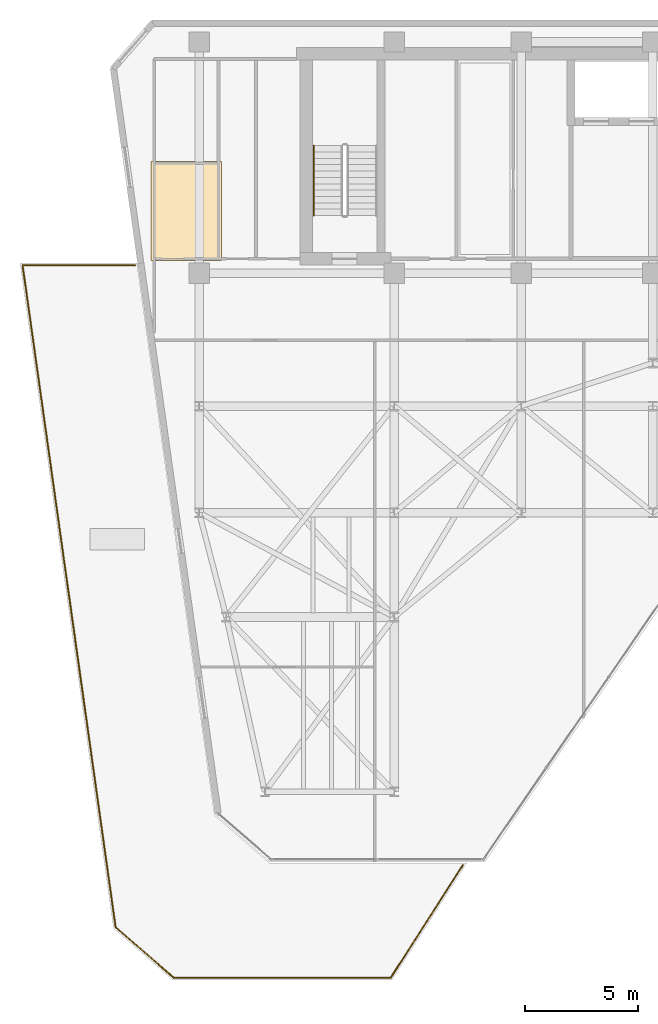
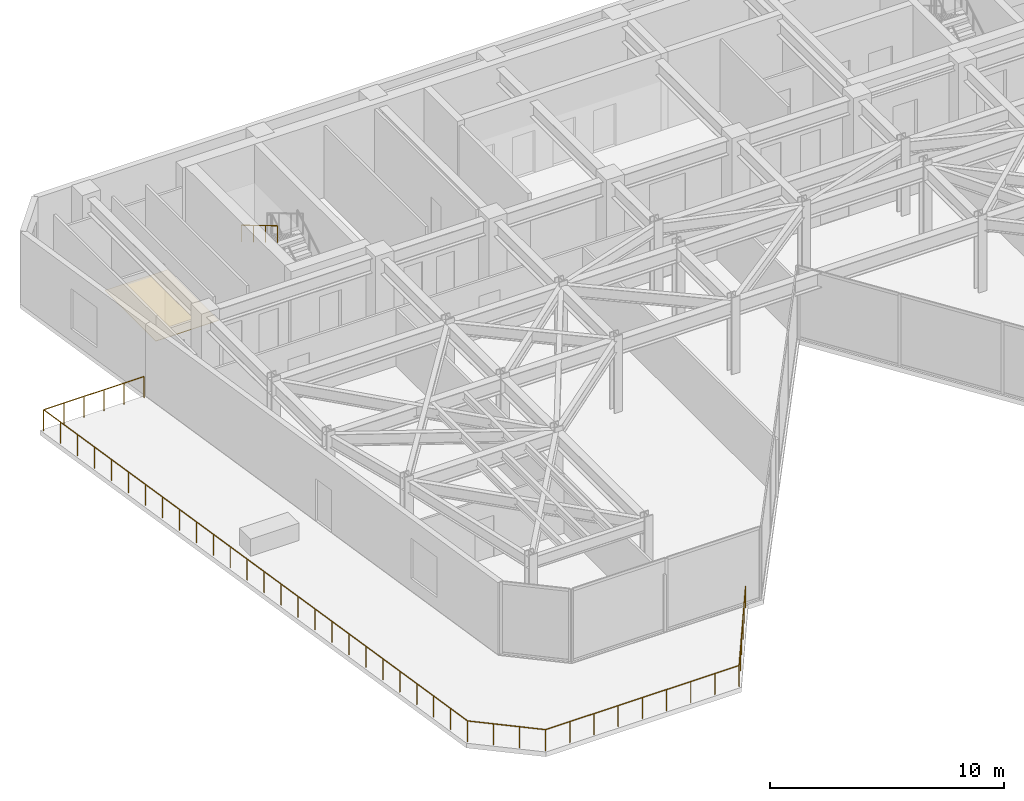
# One storey, part 19 of 21: 6 railings, 1 covering.
"""IFC4 building model written with IfcOpenShell, lengths in metres."""

from ifc_helpers import new_model, si_unit, direction, frame, origin, origin_2d, place, context, subcontext, project, spatial, polyline, circle, outline, extrude, material, layer, layer_set, type_object, element, save


model = new_model("IFC4")

# Units and contexts
model_context = context("Model", 3, precision=1e-05, world=origin(), true_north=direction((0.0, 1.0)))
body_context = subcontext(model_context, "Body", "Model", "MODEL_VIEW")
ifc_project = project(units=[si_unit("LENGTHUNIT", "METRE"), si_unit("AREAUNIT", "SQUARE_METRE"), si_unit("VOLUMEUNIT", "CUBIC_METRE"), si_unit("PLANEANGLEUNIT", "RADIAN"), si_unit("MASSUNIT", "GRAM", prefix="KILO")], contexts=[model_context])

# Site, building, storey
site_placement = place(None, origin())
site = spatial("IfcSite", under=ifc_project, at=site_placement, CompositionType="ELEMENT")
building_placement = place(site_placement, origin())
building = spatial("IfcBuilding", under=site, at=building_placement, Name="Kravanh Interchange Tower", CompositionType="ELEMENT")
storey_placement = place(building_placement, frame((0.0, 0.0, 160.5)))
storey = spatial("IfcBuildingStorey", under=building, at=storey_placement, Name="L38", CompositionType="ELEMENT", Elevation=160.5)

# Covering
ifc_material_1 = material(Name="Acoustic Mineral Fibre Tile on Aluminium Grid", Category="aluminium")
ifc_layer_1 = layer(ifc_material_1, 0.02490234375)
ifc_layer_set_1 = layer_set([ifc_layer_1], Name="Perforated Acoustic Mineral Ceiling 25mm")
covering_type = type_object("IfcCoveringType", Name="Perforated Acoustic Mineral Ceiling 25mm", PredefinedType="CEILING", material=ifc_layer_set_1)
covering_placement = place(storey_placement, frame((0.0, 0.0, 2.550048828125)))
element("IfcCovering", 1, at=covering_placement, inside=storey, type_object=covering_type, Name="L38 Accessible WC Suspended Ceiling", PredefinedType="CEILING", context=body_context, shape_type="SweptSolid", body=[
    extrude(outline(polyline([(19.590087890625, 42.280029296875), (19.590087890625, 37.909912109375), (16.47998046875, 37.909912109375), (16.47998046875, 42.280029296875), (19.590087890625, 42.280029296875)])), origin(), (0.0, 0.0, 1.0), 0.02490234375),
])

# Railings
ifc_material_2 = material(Name="Stainless Steel 316", Category="steel")
ifc_layer_2 = layer(ifc_material_2, 0.06005859375)
ifc_layer_set_2 = layer_set([ifc_layer_2], Name="Perimeter Balcony and Terrace Guardrail Stainless 316 1120mm")
railing_type_1 = type_object("IfcRailingType", Name="Perimeter Balcony and Terrace Guardrail Stainless 316 1120mm", PredefinedType="GUARDRAIL", material=ifc_layer_set_2)
railing_1_placement = place(storey_placement, frame((17.482421875, 6.300048828125, 0.0)))
element("IfcRailing", 2, at=railing_1_placement, inside=storey, type_object=railing_type_1, Name="L38 Stepped Terrace Guardrail 1", PredefinedType="GUARDRAIL", context=body_context, shape_type="SweptSolid", body=[
    extrude(circle(Radius=0.02392578125, at=origin_2d()), frame((0.0, 0.0, 1.09619140625), z_axis=(-0.754723103964, 0.656043471382, 0.0), x_axis=(-0.656043471382, -0.754723103964, 0.0)), (0.0, 0.0, 1.0), 3.39697265625),
    extrude(circle(Radius=0.02099609375, at=origin_2d()), origin(), (0.0, 0.0, 1.0), 1.072021484375),
    extrude(circle(Radius=0.02099609375, at=origin_2d()), frame((-0.8544921875, 0.742919921875, 0.0)), (0.0, 0.0, 1.0), 1.072021484375),
    extrude(circle(Radius=0.02099609375, at=origin_2d()), frame((-1.709228515625, 1.485595703125, 0.0)), (0.0, 0.0, 1.0), 1.072021484375),
    extrude(circle(Radius=0.02099609375, at=origin_2d()), frame((-2.563720703125, 2.228515625, 0.0)), (0.0, 0.0, 1.0), 1.072021484375),
])
railing_2_placement = place(storey_placement, frame((14.918701171875, 8.528564453125, 0.0)))
element("IfcRailing", 3, at=railing_2_placement, inside=storey, type_object=railing_type_1, Name="L38 Stepped Terrace Guardrail 2", PredefinedType="GUARDRAIL", context=body_context, shape_type="SweptSolid", body=[
    extrude(circle(Radius=0.02392578125, at=origin_2d()), frame((0.0, 0.0, 1.09619140625), z_axis=(-0.13917584653, 0.990267682873, 0.0), x_axis=(-0.990267682873, -0.13917584653, 0.0)), (0.0, 0.0, 1.0), 29.4580078125),
    extrude(circle(Radius=0.02099609375, at=origin_2d()), origin(), (0.0, 0.0, 1.0), 1.072021484375),
    extrude(circle(Radius=0.02099609375, at=origin_2d()), frame((-0.1640625, 1.166748046875, 0.0)), (0.0, 0.0, 1.0), 1.072021484375),
    extrude(circle(Radius=0.02099609375, at=origin_2d()), frame((-0.327880859375, 2.333740234375, 0.0)), (0.0, 0.0, 1.0), 1.072021484375),
    extrude(circle(Radius=0.02099609375, at=origin_2d()), frame((-0.491943359375, 3.50048828125, 0.0)), (0.0, 0.0, 1.0), 1.072021484375),
    extrude(circle(Radius=0.02099609375, at=origin_2d()), frame((-0.656005859375, 4.66748046875, 0.0)), (0.0, 0.0, 1.0), 1.072021484375),
    extrude(circle(Radius=0.02099609375, at=origin_2d()), frame((-0.820068359375, 5.834228515625, 0.0)), (0.0, 0.0, 1.0), 1.072021484375),
    extrude(circle(Radius=0.02099609375, at=origin_2d()), frame((-0.98388671875, 7.001220703125, 0.0)), (0.0, 0.0, 1.0), 1.072021484375),
    extrude(circle(Radius=0.02099609375, at=origin_2d()), frame((-1.14794921875, 8.16796875, 0.0)), (0.0, 0.0, 1.0), 1.072021484375),
    extrude(circle(Radius=0.02099609375, at=origin_2d()), frame((-1.31201171875, 9.3349609375, 0.0)), (0.0, 0.0, 1.0), 1.072021484375),
    extrude(circle(Radius=0.02099609375, at=origin_2d()), frame((-1.475830078125, 10.501708984375, 0.0)), (0.0, 0.0, 1.0), 1.072021484375),
    extrude(circle(Radius=0.02099609375, at=origin_2d()), frame((-1.639892578125, 11.66845703125, 0.0)), (0.0, 0.0, 1.0), 1.072021484375),
    extrude(circle(Radius=0.02099609375, at=origin_2d()), frame((-1.803955078125, 12.83544921875, 0.0)), (0.0, 0.0, 1.0), 1.072021484375),
    extrude(circle(Radius=0.02099609375, at=origin_2d()), frame((-1.968017578125, 14.002197265625, 0.0)), (0.0, 0.0, 1.0), 1.072021484375),
    extrude(circle(Radius=0.02099609375, at=origin_2d()), frame((-2.1318359375, 15.169189453125, 0.0)), (0.0, 0.0, 1.0), 1.072021484375),
    extrude(circle(Radius=0.02099609375, at=origin_2d()), frame((-2.2958984375, 16.3359375, 0.0)), (0.0, 0.0, 1.0), 1.072021484375),
    extrude(circle(Radius=0.02099609375, at=origin_2d()), frame((-2.4599609375, 17.5029296875, 0.0)), (0.0, 0.0, 1.0), 1.072021484375),
    extrude(circle(Radius=0.02099609375, at=origin_2d()), frame((-2.6240234375, 18.669677734375, 0.0)), (0.0, 0.0, 1.0), 1.072021484375),
    extrude(circle(Radius=0.02099609375, at=origin_2d()), frame((-2.787841796875, 19.83642578125, 0.0)), (0.0, 0.0, 1.0), 1.072021484375),
    extrude(circle(Radius=0.02099609375, at=origin_2d()), frame((-2.951904296875, 21.00341796875, 0.0)), (0.0, 0.0, 1.0), 1.072021484375),
    extrude(circle(Radius=0.02099609375, at=origin_2d()), frame((-3.115966796875, 22.170166015625, 0.0)), (0.0, 0.0, 1.0), 1.072021484375),
    extrude(circle(Radius=0.02099609375, at=origin_2d()), frame((-3.27978515625, 23.337158203125, 0.0)), (0.0, 0.0, 1.0), 1.072021484375),
    extrude(circle(Radius=0.02099609375, at=origin_2d()), frame((-3.44384765625, 24.50390625, 0.0)), (0.0, 0.0, 1.0), 1.072021484375),
    extrude(circle(Radius=0.02099609375, at=origin_2d()), frame((-3.60791015625, 25.6708984375, 0.0)), (0.0, 0.0, 1.0), 1.072021484375),
    extrude(circle(Radius=0.02099609375, at=origin_2d()), frame((-3.77197265625, 26.837646484375, 0.0)), (0.0, 0.0, 1.0), 1.072021484375),
    extrude(circle(Radius=0.02099609375, at=origin_2d()), frame((-3.935791015625, 28.004638671875, 0.0)), (0.0, 0.0, 1.0), 1.072021484375),
    extrude(circle(Radius=0.02099609375, at=origin_2d()), frame((-4.099853515625, 29.17138671875, 0.0)), (0.0, 0.0, 1.0), 1.072021484375),
])
railing_3_placement = place(storey_placement, frame((10.81884765625, 37.699951171875, 0.0)))
element("IfcRailing", 4, at=railing_3_placement, inside=storey, type_object=railing_type_1, Name="L38 Stepped Terrace Guardrail 3", PredefinedType="GUARDRAIL", context=body_context, shape_type="SweptSolid", body=[
    extrude(circle(Radius=0.02392578125, at=origin_2d()), frame((0.0, 0.0, 1.09619140625), z_axis=(1.0, 0.0, 0.0), x_axis=(0.0, 1.0, 0.0)), (0.0, 0.0, 1.0), 4.957763671875),
    extrude(circle(Radius=0.02099609375, at=origin_2d()), origin(), (0.0, 0.0, 1.0), 1.072021484375),
    extrude(circle(Radius=0.02099609375, at=origin_2d()), frame((0.991455078125, 0.0, 0.0)), (0.0, 0.0, 1.0), 1.072021484375),
    extrude(circle(Radius=0.02099609375, at=origin_2d()), frame((1.983154296875, 0.0, 0.0)), (0.0, 0.0, 1.0), 1.072021484375),
    extrude(circle(Radius=0.02099609375, at=origin_2d()), frame((2.974609375, 0.0, 0.0)), (0.0, 0.0, 1.0), 1.072021484375),
    extrude(circle(Radius=0.02099609375, at=origin_2d()), frame((3.96630859375, 0.0, 0.0)), (0.0, 0.0, 1.0), 1.072021484375),
    extrude(circle(Radius=0.02099609375, at=origin_2d()), frame((4.957763671875, 0.0, 0.0)), (0.0, 0.0, 1.0), 1.072021484375),
])
railing_4_placement = place(storey_placement, frame((30.224853515625, 11.260009765625, 0.0)))
element("IfcRailing", 5, at=railing_4_placement, inside=storey, type_object=railing_type_1, Name="L38 Stepped Terrace Guardrail 7", PredefinedType="GUARDRAIL", context=body_context, shape_type="SweptSolid", body=[
    extrude(circle(Radius=0.02392578125, at=origin_2d()), frame((0.0, 0.0, 1.09619140625), z_axis=(-0.539663855447, -0.841880587212, 0.0), x_axis=(0.841880587212, -0.539663855447, 0.0)), (0.0, 0.0, 1.0), 5.8916015625),
    extrude(circle(Radius=0.02099609375, at=origin_2d()), origin(), (0.0, 0.0, 1.0), 1.072021484375),
    extrude(circle(Radius=0.02099609375, at=origin_2d()), frame((-0.635986328125, -0.991943359375, 0.0)), (0.0, 0.0, 1.0), 1.072021484375),
    extrude(circle(Radius=0.02099609375, at=origin_2d()), frame((-1.271728515625, -1.98388671875, 0.0)), (0.0, 0.0, 1.0), 1.072021484375),
    extrude(circle(Radius=0.02099609375, at=origin_2d()), frame((-1.90771484375, -2.97607421875, 0.0)), (0.0, 0.0, 1.0), 1.072021484375),
    extrude(circle(Radius=0.02099609375, at=origin_2d()), frame((-2.54345703125, -3.968017578125, 0.0)), (0.0, 0.0, 1.0), 1.072021484375),
    extrude(circle(Radius=0.02099609375, at=origin_2d()), frame((-3.179443359375, -4.9599609375, 0.0)), (0.0, 0.0, 1.0), 1.072021484375),
])
railing_5_placement = place(storey_placement, frame((27.04541015625, 6.300048828125, 0.0)))
element("IfcRailing", 6, at=railing_5_placement, inside=storey, type_object=railing_type_1, Name="L38 Stepped Terrace Guardrail 8", PredefinedType="GUARDRAIL", context=body_context, shape_type="SweptSolid", body=[
    extrude(circle(Radius=0.02392578125, at=origin_2d()), frame((0.0, 0.0, 1.09619140625), z_axis=(-1.0, 0.0, 0.0), x_axis=(0.0, -1.0, 0.0)), (0.0, 0.0, 1.0), 9.56298828125),
    extrude(circle(Radius=0.02099609375, at=origin_2d()), origin(), (0.0, 0.0, 1.0), 1.072021484375),
    extrude(circle(Radius=0.02099609375, at=origin_2d()), frame((-1.1953125, 0.0, 0.0)), (0.0, 0.0, 1.0), 1.072021484375),
    extrude(circle(Radius=0.02099609375, at=origin_2d()), frame((-2.390625, 0.0, 0.0)), (0.0, 0.0, 1.0), 1.072021484375),
    extrude(circle(Radius=0.02099609375, at=origin_2d()), frame((-3.586181640625, 0.0, 0.0)), (0.0, 0.0, 1.0), 1.072021484375),
    extrude(circle(Radius=0.02099609375, at=origin_2d()), frame((-4.781494140625, 0.0, 0.0)), (0.0, 0.0, 1.0), 1.072021484375),
    extrude(circle(Radius=0.02099609375, at=origin_2d()), frame((-5.976806640625, 0.0, 0.0)), (0.0, 0.0, 1.0), 1.072021484375),
    extrude(circle(Radius=0.02099609375, at=origin_2d()), frame((-7.17236328125, 0.0, 0.0)), (0.0, 0.0, 1.0), 1.072021484375),
    extrude(circle(Radius=0.02099609375, at=origin_2d()), frame((-8.36767578125, 0.0, 0.0)), (0.0, 0.0, 1.0), 1.072021484375),
    extrude(circle(Radius=0.02099609375, at=origin_2d()), frame((-9.56298828125, 0.0, 0.0)), (0.0, 0.0, 1.0), 1.072021484375),
])
ifc_material_3 = material(Name="Stainless Steel 304", Category="steel")
ifc_layer_3 = layer(ifc_material_3, 0.044921875)
ifc_layer_set_3 = layer_set([ifc_layer_3], Name="Tubular Stair Handrail Stainless 304 900mm")
railing_type_2 = type_object("IfcRailingType", Name="Tubular Stair Handrail Stainless 304 900mm", PredefinedType="HANDRAIL", material=ifc_layer_set_3)
railing_6_placement = place(storey_placement, frame((23.64990234375, 42.97998046875, 2.166748046875)))
element("IfcRailing", 7, at=railing_6_placement, inside=storey, type_object=railing_type_2, Name="L38 ST3 stair handrail 2", PredefinedType="HANDRAIL", context=body_context, shape_type="SweptSolid", body=[
    extrude(circle(Radius=0.02392578125, at=origin_2d()), frame((0.0, 0.0, 0.8759765625), z_axis=(0.0, -0.859308565015, 0.511457515432), x_axis=(1.0, 0.0, 0.0)), (0.0, 0.0, 1.0), 3.58447265625),
    extrude(circle(Radius=0.02099609375, at=origin_2d()), origin(), (0.0, 0.0, 1.0), 0.851806640625),
    extrude(circle(Radius=0.02099609375, at=origin_2d()), frame((0.0, -1.026611328125, 0.611083984375)), (0.0, 0.0, 1.0), 0.851806640625),
    extrude(circle(Radius=0.02099609375, at=origin_2d()), frame((0.0, -2.053466796875, 1.22216796875)), (0.0, 0.0, 1.0), 0.851806640625),
    extrude(circle(Radius=0.02099609375, at=origin_2d()), frame((0.0, -3.080078125, 1.833251953125)), (0.0, 0.0, 1.0), 0.851806640625),
])

save(model, "model.ifc")
